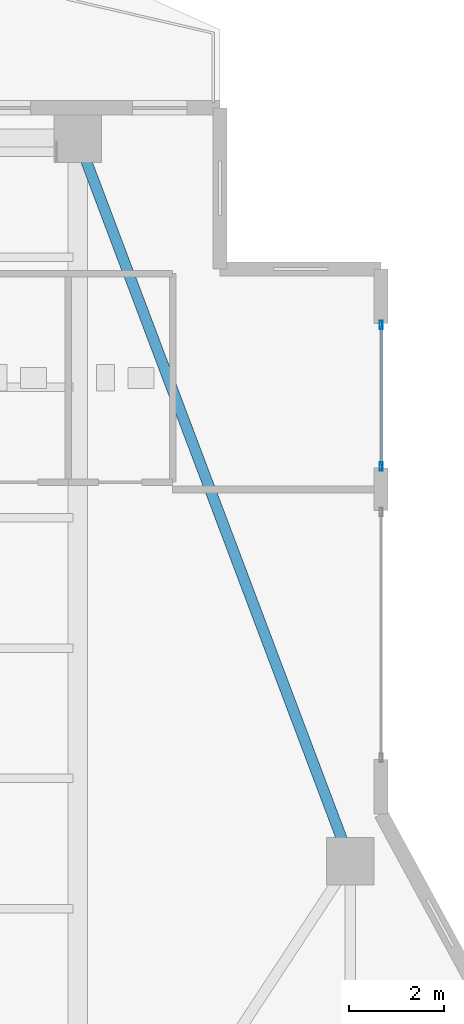
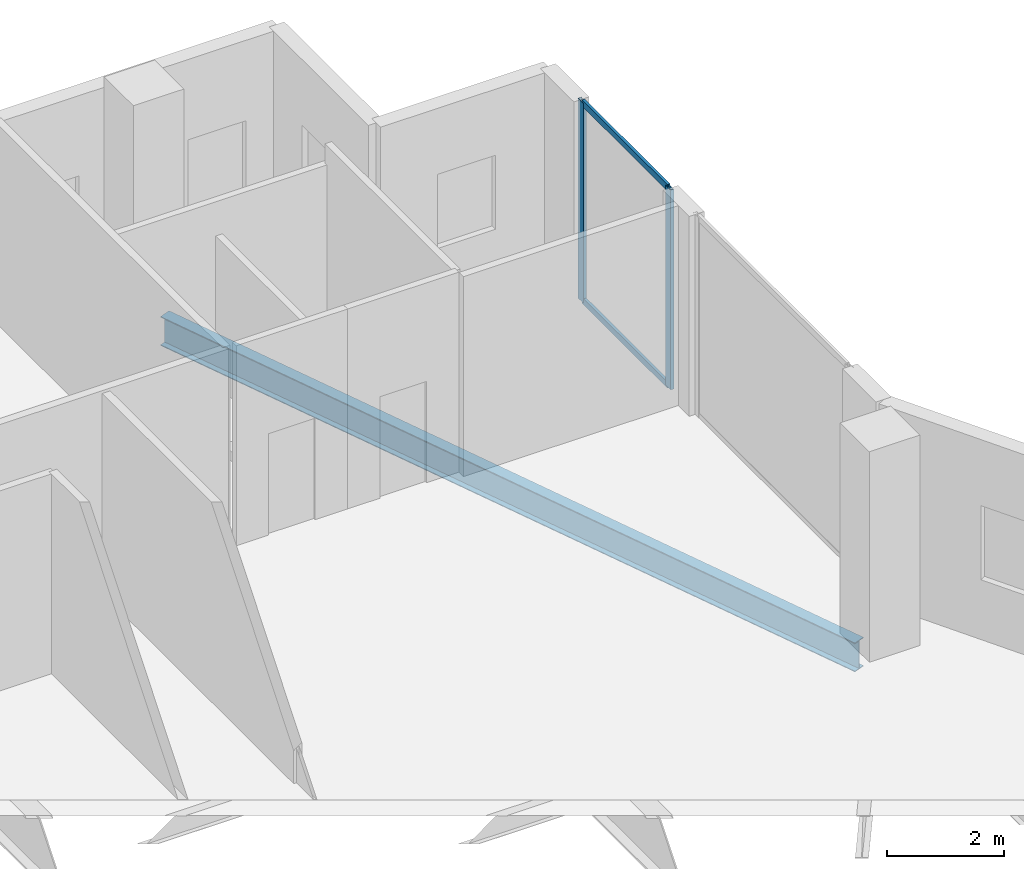
# One storey, part 15 of 24: 4 members, 1 beam, 1 element without a shape of its own.
"""IFC4 building model written with IfcOpenShell, lengths in metres."""

from ifc_helpers import new_model, si_unit, direction, frame, origin, origin_2d, place, context, subcontext, project, spatial, hollow_rectangle, i_section, extrude, material, layer, layer_set, material_profile, profile_set, type_object, element, aggregate, save


model = new_model("IFC4")

# Units and contexts
model_context = context("Model", 3, precision=1e-05, world=origin(), true_north=direction((0.0, 1.0)))
body_context = subcontext(model_context, "Body", "Model", "MODEL_VIEW")
ifc_project = project(units=[si_unit("LENGTHUNIT", "METRE"), si_unit("AREAUNIT", "SQUARE_METRE"), si_unit("VOLUMEUNIT", "CUBIC_METRE"), si_unit("PLANEANGLEUNIT", "RADIAN"), si_unit("MASSUNIT", "GRAM", prefix="KILO")], contexts=[model_context])

# Site, building, storey
site_placement = place(None, origin())
site = spatial("IfcSite", under=ifc_project, at=site_placement, CompositionType="ELEMENT")
building_placement = place(site_placement, origin())
building = spatial("IfcBuilding", under=site, at=building_placement, Name="Zuhayl Quay Hotel", CompositionType="ELEMENT")
storey_placement = place(building_placement, frame((0.0, 0.0, 284.050048828125)))
storey = spatial("IfcBuildingStorey", under=building, at=storey_placement, Name="L72", CompositionType="ELEMENT", Elevation=284.050048828125)

# Beam
ifc_material_1 = material(Name="Steel ASTM A992 Grade 50", Category="steel")
ifc_material_profile_1 = material_profile(ifc_material_1, i_section(OverallWidth=0.22802734375, OverallDepth=0.60693359375, WebThickness=0.01123046875, FlangeThickness=0.017333984375, at=origin_2d()), Name="W24X76")
ifc_profile_set_1 = profile_set([ifc_material_profile_1], Name="Steel ASTM A992 Grade 50")
beam_type = type_object("IfcBeamType", Name="BM_B3_W24X76", PredefinedType="BEAM", material=ifc_profile_set_1)
beam_placement = place(storey_placement, frame((19.3876953125, 23.530517578125, -0.5234375), z_axis=(-0.352796603103, 0.935700035716, 0.0), x_axis=(-0.935700035716, -0.352796603103, 0.0)))
element("IfcBeam", 1, at=beam_placement, inside=storey, type_object=beam_type, Name="L72 Floor Beam RG_L72_06", PredefinedType="BEAM", context=body_context, shape_type="SweptSolid", body=[
    extrude(i_section(OverallWidth=0.22802734375, OverallDepth=0.60693359375, WebThickness=0.01123046875, FlangeThickness=0.017333984375, at=origin_2d()), origin(), (0.0, 0.0, 1.0), 15.3779296875),
])

# Curtain wall, members
ifc_material_2 = material(Name="Anodised Aluminium 6063-T6", Category="aluminium")
ifc_layer = layer(ifc_material_2, 0.169921875, Name="Anodised Aluminium 6063-T6", Category="aluminium")
ifc_layer_set = layer_set([ifc_layer], Name="Anodised Aluminium 6063-T6")
curtain_wall_type = type_object("IfcCurtainWallType", Name="CW_SYS_Z4", PredefinedType="USERDEFINED", material=ifc_layer_set)
curtain_wall_placement = place(storey_placement, origin())
curtain_wall = element("IfcCurtainWall", 2, at=curtain_wall_placement, inside=storey, type_object=curtain_wall_type, Name="L72 Curtain Wall ENV_L72_E11_CW1", ObjectType="UNITISED CURTAIN WALL", PredefinedType="USERDEFINED")
ifc_material_3 = material(Name="Black-anodised aluminium 6063-T6", Category="aluminium")
ifc_material_profile_2 = material_profile(ifc_material_3, hollow_rectangle(XDim=0.06494140625, YDim=0.179931640625, WallThickness=0.00341796875, at=origin_2d()), Name="ALU180X65")
ifc_profile_set_2 = profile_set([ifc_material_profile_2], Name="Black-anodised aluminium 6063-T6")
member_type_1 = type_object("IfcMemberType", Name="MB_CW_MUL_180", PredefinedType="MULLION", material=ifc_profile_set_2)
member_1_placement = place(storey_placement, frame((20.199951171875, 34.41748046875, 0.0), z_axis=(0.0, 0.0, 1.0), x_axis=(1.0, 0.0, 0.0)))
member_1 = element("IfcMember", 3, at=member_1_placement, type_object=member_type_1, Name="CW-Z4 mullion 1", PredefinedType="MULLION", context=body_context, shape_type="SweptSolid", body=[
    extrude(hollow_rectangle(XDim=0.06494140625, YDim=0.179931640625, WallThickness=0.00341796875, at=origin_2d()), origin(), (0.0, 0.0, 1.0), 4.179931640625),
])
member_2_placement = place(storey_placement, frame((20.199951171875, 31.4326171875, 0.0), z_axis=(0.0, 0.0, 1.0), x_axis=(1.0, 0.0, 0.0)))
member_2 = element("IfcMember", 4, at=member_2_placement, type_object=member_type_1, Name="CW-Z4 mullion 2", PredefinedType="MULLION", context=body_context, shape_type="SweptSolid", body=[
    extrude(hollow_rectangle(XDim=0.06494140625, YDim=0.179931640625, WallThickness=0.00341796875, at=origin_2d()), origin(), (0.0, 0.0, 1.0), 4.179931640625),
])
ifc_material_profile_3 = material_profile(ifc_material_3, hollow_rectangle(XDim=0.054931640625, YDim=0.1298828125, WallThickness=0.0029296875, at=origin_2d()), Name="ALU130X55")
ifc_profile_set_3 = profile_set([ifc_material_profile_3], Name="Black-anodised aluminium 6063-T6")
member_type_2 = type_object("IfcMemberType", Name="MB_CW_TRN_130", PredefinedType="USERDEFINED", material=ifc_profile_set_3)
member_3_placement = place(storey_placement, frame((20.199951171875, 34.385009765625, 0.02734375), z_axis=(0.0, -1.0, 0.0), x_axis=(1.0, 0.0, 0.0)))
member_3 = element("IfcMember", 5, at=member_3_placement, type_object=member_type_2, Name="CW-Z4 transom 1.1", ObjectType="TRANSOM", PredefinedType="USERDEFINED", context=body_context, shape_type="SweptSolid", body=[
    extrude(hollow_rectangle(XDim=0.054931640625, YDim=0.1298828125, WallThickness=0.0029296875, at=origin_2d()), origin(), (0.0, 0.0, 1.0), 2.919921875),
])
member_4_placement = place(storey_placement, frame((20.199951171875, 34.385009765625, 4.15234375), z_axis=(0.0, -1.0, 0.0), x_axis=(1.0, 0.0, 0.0)))
member_4 = element("IfcMember", 6, at=member_4_placement, type_object=member_type_2, Name="CW-Z4 transom 1.2", ObjectType="TRANSOM", PredefinedType="USERDEFINED", context=body_context, shape_type="SweptSolid", body=[
    extrude(hollow_rectangle(XDim=0.054931640625, YDim=0.1298828125, WallThickness=0.0029296875, at=origin_2d()), origin(), (0.0, 0.0, 1.0), 2.919921875),
])
aggregate(curtain_wall, [member_1, member_2, member_3, member_4])

save(model, "model.ifc")
